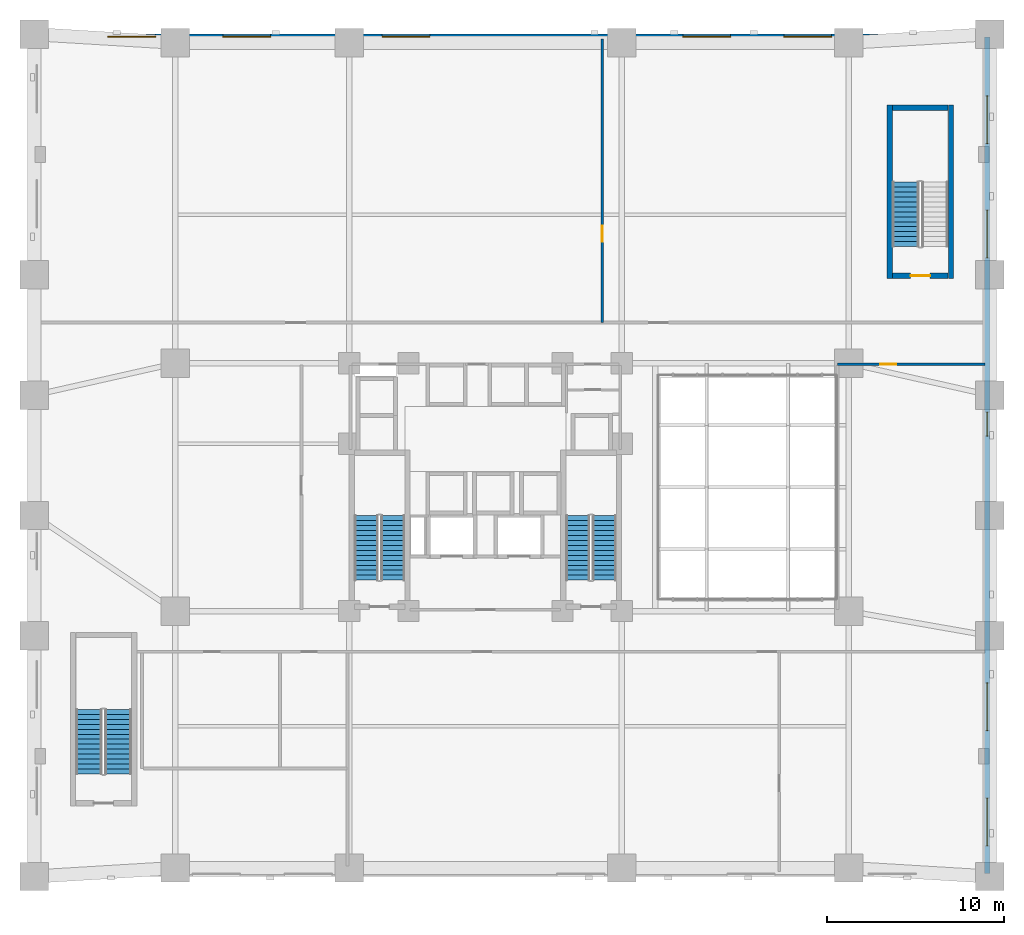
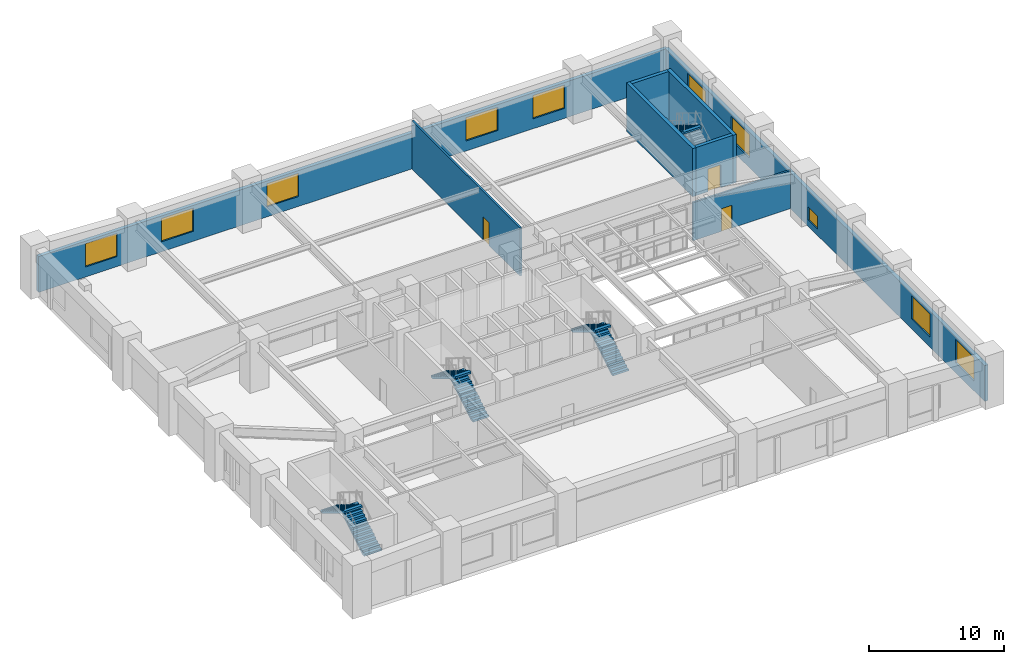
# One storey, part 6 of 11: 10 windows, 8 walls, 7 stair flights, 3 doors, 13 openings, 4 elements without a shape of their own.
"""IFC4 building model written with IfcOpenShell, lengths in metres."""

from ifc_helpers import new_model, si_unit, derived_unit, direction, frame, frame_2d, origin, place, context, subcontext, project, spatial, polyline, rectangle, outline, extrude, material, layer, layer_set, type_object, element, fill, aggregate, save


model = new_model("IFC4")

# Units and contexts
model_context = context("Model", 3, precision=1e-05, world=origin(), true_north=direction((0.0, 1.0)))
body_context = subcontext(model_context, "Body", "Model", "MODEL_VIEW")
ifc_project = project(units=[si_unit("LENGTHUNIT", "METRE"), si_unit("AREAUNIT", "SQUARE_METRE"), si_unit("VOLUMEUNIT", "CUBIC_METRE"), si_unit("PLANEANGLEUNIT", "RADIAN"), si_unit("MASSUNIT", "GRAM", prefix="KILO"), derived_unit("THERMALTRANSMITTANCEUNIT", [(si_unit("MASSUNIT", "GRAM", prefix="KILO"), 1), (si_unit("TIMEUNIT", "SECOND"), -3), (si_unit("THERMODYNAMICTEMPERATUREUNIT", "KELVIN"), -1)])], contexts=[model_context])

# Site, building, storey
site_placement = place(None, origin())
site = spatial("IfcSite", under=ifc_project, at=site_placement, CompositionType="ELEMENT")
building_placement = place(site_placement, origin())
building = spatial("IfcBuilding", under=site, at=building_placement, Name="Korrvale Station Residences", CompositionType="ELEMENT")
storey_placement = place(building_placement, frame((0.0, 0.0, 16.0)))
storey = spatial("IfcBuildingStorey", under=building, at=storey_placement, Name="L03", CompositionType="ELEMENT", Elevation=16.0)

# Walls
ifc_material_1 = material(Name="Concrete C70/85", Category="concrete")
ifc_layer_1 = layer(ifc_material_1, 0.300048828125, Name="Concrete C70/85")
ifc_layer_set_1 = layer_set([ifc_layer_1], Name="Concrete C70/85")
wall_type_1 = type_object("IfcWallType", Name="WAL-CORE-300-C70", PredefinedType="SHEAR", material=ifc_layer_set_1)
for number, where, z_axis, x_axis, name in (
    (1, (48.35009765625, 33.800048828125, 0.0), (0.0, 0.0, 1.0), (0.0, 1.0, 0.0), "L03 ST-4 Core Shear Wall West"),
    (2, (51.800048828125, 33.800048828125, 0.0), (0.0, 0.0, 1.0), (0.0, 1.0, 0.0), "L03 ST-4 Core Shear Wall East"),
):
    element("IfcWall", number, at=place(storey_placement, frame(where, z_axis=z_axis, x_axis=x_axis)), inside=storey, type_object=wall_type_1, Name=name, PredefinedType="SHEAR", context=body_context, shape_type="SweptSolid", body=[
        extrude(rectangle(XDim=9.800048828125, YDim=0.300048828125, at=frame_2d((4.89990234375, 0.0))), origin(), (0.0, 0.0, 1.0), 4.35009765625),
    ])
wall_1_placement = place(storey_placement, frame((48.5, 43.449951171875, 0.0), z_axis=(0.0, 0.0, 1.0), x_axis=(1.0, 0.0, 0.0)))
element("IfcWall", 3, at=wall_1_placement, inside=storey, type_object=wall_type_1, Name="L03 ST-4 Core Shear Wall North", PredefinedType="SHEAR", context=body_context, shape_type="SweptSolid", body=[
    extrude(rectangle(XDim=3.14990234375, YDim=0.300048828125, at=frame_2d((1.574951171875, 0.0))), origin(), (0.0, 0.0, 1.0), 4.35009765625),
])

# Wall, opening, door
wall_2_placement = place(storey_placement, frame((48.5, 33.949951171875, 0.0), z_axis=(0.0, 0.0, 1.0), x_axis=(1.0, 0.0, 0.0)))
wall_2 = element("IfcWall", 4, at=wall_2_placement, inside=storey, type_object=wall_type_1, Name="L03 ST-4 Core Shear Wall South", PredefinedType="SHEAR", context=body_context, shape_type="SweptSolid", body=[
    extrude(rectangle(XDim=3.14990234375, YDim=0.300048828125, at=frame_2d((1.574951171875, 0.0))), origin(), (0.0, 0.0, 1.0), 4.35009765625),
])
opening_1_placement = place(wall_2_placement, frame((1.02001953125, 0.0, 0.0)))
opening_1 = element("IfcOpeningElement", 5, at=opening_1_placement, cuts=wall_2, Name="Opening SD-1100", PredefinedType="OPENING", context=body_context, shape_type="SweptSolid", body=[
    extrude(rectangle(XDim=1.10009765625, YDim=2.050048828125, at=frame_2d((0.550048828125, 1.02490234375))), frame((0.0, 0.16015625, 0.0), z_axis=(0.0, -1.0, 0.0), x_axis=(1.0, 0.0, 0.0)), (0.0, 0.0, 1.0), 0.320068359375),
])
ifc_material_2 = material(Name="Hollow-metal fire-rated stair door with closer", Category="steel")
door_type_1 = type_object("IfcDoorType", Name="DR-STAIR-1100", OperationType="NOTDEFINED", PredefinedType="DOOR", material=ifc_material_2)
door_1_placement = place(opening_1_placement, origin())
door_1 = element("IfcDoor", 6, at=door_1_placement, inside=storey, type_object=door_type_1, Name="L03 ST-4 Exit Stair Door", OperationType="SINGLE_SWING_RIGHT", OverallHeight=2.050048828125, OverallWidth=1.10009765625, PredefinedType="DOOR", context=body_context, shape_type="SweptSolid", body=[
    extrude(rectangle(XDim=1.10009765625, YDim=2.050048828125, at=frame_2d((0.550048828125, 1.02490234375))), frame((0.0, 0.02490234375, 0.0), z_axis=(0.0, -1.0, 0.0), x_axis=(1.0, 0.0, 0.0)), (0.0, 0.0, 1.0), 0.050048828125),
])
fill(opening_1, door_1)

# Wall, openings, windows
ifc_material_3 = material(Name="Precast concrete C45/55", Category="concrete")
ifc_layer_2 = layer(ifc_material_3, 0.300048828125, Name="Precast concrete C45/55")
ifc_layer_set_2 = layer_set([ifc_layer_2], Name="Precast concrete C45/55")
wall_type_2 = type_object("IfcWallType", Name="WAL-EXT-PC300", PredefinedType="SOLIDWALL", material=ifc_layer_set_2)
wall_3_placement = place(storey_placement, frame((0.159912109375, 47.449951171875, 0.0), z_axis=(0.0, 0.0, 1.0), x_axis=(1.0, 0.0, 0.0)))
wall_3 = element("IfcWall", 7, at=wall_3_placement, inside=storey, type_object=wall_type_2, Name="L03 North Exterior Precast Wall 1", PredefinedType="SOLIDWALL", context=body_context, shape_type="SweptSolid", body=[
    extrude(rectangle(XDim=53.68017578125, YDim=0.300048828125, at=frame_2d((26.840087890625, 0.0))), origin(), (0.0, 0.0, 1.0), 3.235107421875),
])
opening_2_placement = place(wall_3_placement, frame((4.0, 0.0, 0.89990234375)))
opening_2 = element("IfcOpeningElement", 8, at=opening_2_placement, cuts=wall_3, Name="Opening W-07", PredefinedType="OPENING", context=body_context, shape_type="SweptSolid", body=[
    extrude(rectangle(XDim=2.699951171875, YDim=2.10009765625, at=frame_2d((1.35009765625, 1.050048828125))), frame((0.0, 0.16015625, 0.0), z_axis=(0.0, -1.0, 0.0), x_axis=(1.0, 0.0, 0.0)), (0.0, 0.0, 1.0), 0.320068359375),
])
opening_3_placement = place(wall_3_placement, frame((10.5, 0.0, 0.89990234375)))
opening_3 = element("IfcOpeningElement", 9, at=opening_3_placement, cuts=wall_3, Name="Opening W-07", PredefinedType="OPENING", context=body_context, shape_type="SweptSolid", body=[
    extrude(rectangle(XDim=2.699951171875, YDim=2.10009765625, at=frame_2d((1.35009765625, 1.050048828125))), frame((0.0, 0.16015625, 0.0), z_axis=(0.0, -1.0, 0.0), x_axis=(1.0, 0.0, 0.0)), (0.0, 0.0, 1.0), 0.320068359375),
])
opening_4_placement = place(wall_3_placement, frame((19.5, 0.0, 0.89990234375)))
opening_4 = element("IfcOpeningElement", 10, at=opening_4_placement, cuts=wall_3, Name="Opening W-07", PredefinedType="OPENING", context=body_context, shape_type="SweptSolid", body=[
    extrude(rectangle(XDim=2.699951171875, YDim=2.10009765625, at=frame_2d((1.35009765625, 1.050048828125))), frame((0.0, 0.16015625, 0.0), z_axis=(0.0, -1.0, 0.0), x_axis=(1.0, 0.0, 0.0)), (0.0, 0.0, 1.0), 0.320068359375),
])
opening_5_placement = place(wall_3_placement, frame((36.5, 0.0, 0.89990234375)))
opening_5 = element("IfcOpeningElement", 11, at=opening_5_placement, cuts=wall_3, Name="Opening W-07", PredefinedType="OPENING", context=body_context, shape_type="SweptSolid", body=[
    extrude(rectangle(XDim=2.699951171875, YDim=2.10009765625, at=frame_2d((1.35009765625, 1.050048828125))), frame((0.0, 0.16015625, 0.0), z_axis=(0.0, -1.0, 0.0), x_axis=(1.0, 0.0, 0.0)), (0.0, 0.0, 1.0), 0.320068359375),
])
opening_6_placement = place(wall_3_placement, frame((42.199951171875, 0.0, 0.89990234375)))
opening_6 = element("IfcOpeningElement", 12, at=opening_6_placement, cuts=wall_3, Name="Opening W-07", PredefinedType="OPENING", context=body_context, shape_type="SweptSolid", body=[
    extrude(rectangle(XDim=2.699951171875, YDim=2.10009765625, at=frame_2d((1.35009765625, 1.050048828125))), frame((0.0, 0.16015625, 0.0), z_axis=(0.0, -1.0, 0.0), x_axis=(1.0, 0.0, 0.0)), (0.0, 0.0, 1.0), 0.320068359375),
])
ifc_material_4 = material(Name="Thermally broken aluminium frame with triple low-e glazing", Category="aluminium")
window_type_1 = type_object("IfcWindowType", Name="WIN-W07", PartitioningType="TRIPLE_PANEL_VERTICAL", PredefinedType="WINDOW", material=ifc_material_4)
window_1_placement = place(opening_2_placement, origin())
window_1 = element("IfcWindow", 13, at=window_1_placement, inside=storey, type_object=window_type_1, Name="L03 Station Concourse Punched Window 01", OverallHeight=2.10009765625, OverallWidth=2.699951171875, PartitioningType="TRIPLE_PANEL_VERTICAL", PredefinedType="WINDOW", context=body_context, shape_type="SweptSolid", body=[
    extrude(rectangle(XDim=2.699951171875, YDim=2.10009765625, at=frame_2d((1.35009765625, 1.050048828125))), frame((0.0, 0.030029296875, 0.0), z_axis=(0.0, -1.0, 0.0), x_axis=(1.0, 0.0, 0.0)), (0.0, 0.0, 1.0), 0.06005859375),
])
fill(opening_2, window_1)
window_2_placement = place(opening_3_placement, origin())
window_2 = element("IfcWindow", 14, at=window_2_placement, inside=storey, type_object=window_type_1, Name="L03 Station Concourse Punched Window 02", OverallHeight=2.10009765625, OverallWidth=2.699951171875, PartitioningType="TRIPLE_PANEL_VERTICAL", PredefinedType="WINDOW", context=body_context, shape_type="SweptSolid", body=[
    extrude(rectangle(XDim=2.699951171875, YDim=2.10009765625, at=frame_2d((1.35009765625, 1.050048828125))), frame((0.0, 0.030029296875, 0.0), z_axis=(0.0, -1.0, 0.0), x_axis=(1.0, 0.0, 0.0)), (0.0, 0.0, 1.0), 0.06005859375),
])
fill(opening_3, window_2)
window_3_placement = place(opening_4_placement, origin())
window_3 = element("IfcWindow", 15, at=window_3_placement, inside=storey, type_object=window_type_1, Name="L03 Station Concourse Punched Window 03", OverallHeight=2.10009765625, OverallWidth=2.699951171875, PartitioningType="TRIPLE_PANEL_VERTICAL", PredefinedType="WINDOW", context=body_context, shape_type="SweptSolid", body=[
    extrude(rectangle(XDim=2.699951171875, YDim=2.10009765625, at=frame_2d((1.35009765625, 1.050048828125))), frame((0.0, 0.030029296875, 0.0), z_axis=(0.0, -1.0, 0.0), x_axis=(1.0, 0.0, 0.0)), (0.0, 0.0, 1.0), 0.06005859375),
])
fill(opening_4, window_3)
window_4_placement = place(opening_5_placement, origin())
window_4 = element("IfcWindow", 16, at=window_4_placement, inside=storey, type_object=window_type_1, Name="L03 Station Concourse Punched Window 04", OverallHeight=2.10009765625, OverallWidth=2.699951171875, PartitioningType="TRIPLE_PANEL_VERTICAL", PredefinedType="WINDOW", context=body_context, shape_type="SweptSolid", body=[
    extrude(rectangle(XDim=2.699951171875, YDim=2.10009765625, at=frame_2d((1.35009765625, 1.050048828125))), frame((0.0, 0.030029296875, 0.0), z_axis=(0.0, -1.0, 0.0), x_axis=(1.0, 0.0, 0.0)), (0.0, 0.0, 1.0), 0.06005859375),
])
fill(opening_5, window_4)
window_5_placement = place(opening_6_placement, origin())
window_5 = element("IfcWindow", 17, at=window_5_placement, inside=storey, type_object=window_type_1, Name="L03 Station Concourse Punched Window 05", OverallHeight=2.10009765625, OverallWidth=2.699951171875, PartitioningType="TRIPLE_PANEL_VERTICAL", PredefinedType="WINDOW", context=body_context, shape_type="SweptSolid", body=[
    extrude(rectangle(XDim=2.699951171875, YDim=2.10009765625, at=frame_2d((1.35009765625, 1.050048828125))), frame((0.0, 0.030029296875, 0.0), z_axis=(0.0, -1.0, 0.0), x_axis=(1.0, 0.0, 0.0)), (0.0, 0.0, 1.0), 0.06005859375),
])
fill(opening_6, window_5)

wall_4_placement = place(storey_placement, frame((53.85009765625, 47.43994140625, 0.0), z_axis=(0.0, 0.0, 1.0), x_axis=(0.0, -1.0, 0.0)))
wall_4 = element("IfcWall", 18, at=wall_4_placement, inside=storey, type_object=wall_type_2, Name="L03 East Exterior Precast Wall 1", PredefinedType="SOLIDWALL", context=body_context, shape_type="SweptSolid", body=[
    extrude(rectangle(XDim=47.280029296875, YDim=0.300048828125, at=frame_2d((23.64013671875, 0.0))), origin(), (0.0, 0.0, 1.0), 3.235107421875),
])
opening_7_placement = place(wall_4_placement, frame((3.330078125, 0.0, 0.89990234375)))
opening_7 = element("IfcOpeningElement", 19, at=opening_7_placement, cuts=wall_4, Name="Opening W-07", PredefinedType="OPENING", context=body_context, shape_type="SweptSolid", body=[
    extrude(rectangle(XDim=2.699951171875, YDim=2.10009765625, at=frame_2d((1.35009765625, 1.050048828125))), frame((0.0, 0.16015625, 0.0), z_axis=(0.0, -1.0, 0.0), x_axis=(1.0, 0.0, 0.0)), (0.0, 0.0, 1.0), 0.320068359375),
])
opening_8_placement = place(wall_4_placement, frame((9.780029296875, 0.0, 0.89990234375)))
opening_8 = element("IfcOpeningElement", 20, at=opening_8_placement, cuts=wall_4, Name="Opening W-07", PredefinedType="OPENING", context=body_context, shape_type="SweptSolid", body=[
    extrude(rectangle(XDim=2.699951171875, YDim=2.10009765625, at=frame_2d((1.35009765625, 1.050048828125))), frame((0.0, 0.16015625, 0.0), z_axis=(0.0, -1.0, 0.0), x_axis=(1.0, 0.0, 0.0)), (0.0, 0.0, 1.0), 0.320068359375),
])
opening_9_placement = place(wall_4_placement, frame((21.199951171875, 0.0, 0.550048828125)))
opening_9 = element("IfcOpeningElement", 21, at=opening_9_placement, cuts=wall_4, Name="Opening W-10", PredefinedType="OPENING", context=body_context, shape_type="SweptSolid", body=[
    extrude(rectangle(XDim=1.35009765625, YDim=1.199951171875, at=frame_2d((0.675048828125, 0.60009765625))), frame((0.0, 0.16015625, 0.0), z_axis=(0.0, -1.0, 0.0), x_axis=(1.0, 0.0, 0.0)), (0.0, 0.0, 1.0), 0.320068359375),
])
opening_10_placement = place(wall_4_placement, frame((36.5, 0.0, 0.89990234375)))
opening_10 = element("IfcOpeningElement", 22, at=opening_10_placement, cuts=wall_4, Name="Opening W-07", PredefinedType="OPENING", context=body_context, shape_type="SweptSolid", body=[
    extrude(rectangle(XDim=2.699951171875, YDim=2.10009765625, at=frame_2d((1.35009765625, 1.050048828125))), frame((0.0, 0.16015625, 0.0), z_axis=(0.0, -1.0, 0.0), x_axis=(1.0, 0.0, 0.0)), (0.0, 0.0, 1.0), 0.320068359375),
])
opening_11_placement = place(wall_4_placement, frame((43.0, 0.0, 0.89990234375)))
opening_11 = element("IfcOpeningElement", 23, at=opening_11_placement, cuts=wall_4, Name="Opening W-07", PredefinedType="OPENING", context=body_context, shape_type="SweptSolid", body=[
    extrude(rectangle(XDim=2.699951171875, YDim=2.10009765625, at=frame_2d((1.35009765625, 1.050048828125))), frame((0.0, 0.16015625, 0.0), z_axis=(0.0, -1.0, 0.0), x_axis=(1.0, 0.0, 0.0)), (0.0, 0.0, 1.0), 0.320068359375),
])
window_6_placement = place(opening_7_placement, origin())
window_6 = element("IfcWindow", 24, at=window_6_placement, inside=storey, type_object=window_type_1, Name="L03 Station Concourse Punched Window 06", OverallHeight=2.10009765625, OverallWidth=2.699951171875, PartitioningType="TRIPLE_PANEL_VERTICAL", PredefinedType="WINDOW", context=body_context, shape_type="SweptSolid", body=[
    extrude(rectangle(XDim=2.699951171875, YDim=2.10009765625, at=frame_2d((1.35009765625, 1.050048828125))), frame((0.0, 0.030029296875, 0.0), z_axis=(0.0, -1.0, 0.0), x_axis=(1.0, 0.0, 0.0)), (0.0, 0.0, 1.0), 0.06005859375),
])
fill(opening_7, window_6)
window_7_placement = place(opening_8_placement, origin())
window_7 = element("IfcWindow", 25, at=window_7_placement, inside=storey, type_object=window_type_1, Name="L03 Station Concourse Punched Window 07", OverallHeight=2.10009765625, OverallWidth=2.699951171875, PartitioningType="TRIPLE_PANEL_VERTICAL", PredefinedType="WINDOW", context=body_context, shape_type="SweptSolid", body=[
    extrude(rectangle(XDim=2.699951171875, YDim=2.10009765625, at=frame_2d((1.35009765625, 1.050048828125))), frame((0.0, 0.030029296875, 0.0), z_axis=(0.0, -1.0, 0.0), x_axis=(1.0, 0.0, 0.0)), (0.0, 0.0, 1.0), 0.06005859375),
])
fill(opening_8, window_7)
window_8_placement = place(opening_10_placement, origin())
window_8 = element("IfcWindow", 26, at=window_8_placement, inside=storey, type_object=window_type_1, Name="L03 Station Concourse Punched Window 09", OverallHeight=2.10009765625, OverallWidth=2.699951171875, PartitioningType="TRIPLE_PANEL_VERTICAL", PredefinedType="WINDOW", context=body_context, shape_type="SweptSolid", body=[
    extrude(rectangle(XDim=2.699951171875, YDim=2.10009765625, at=frame_2d((1.35009765625, 1.050048828125))), frame((0.0, 0.030029296875, 0.0), z_axis=(0.0, -1.0, 0.0), x_axis=(1.0, 0.0, 0.0)), (0.0, 0.0, 1.0), 0.06005859375),
])
fill(opening_10, window_8)
window_9_placement = place(opening_11_placement, origin())
window_9 = element("IfcWindow", 27, at=window_9_placement, inside=storey, type_object=window_type_1, Name="L03 Station Concourse Punched Window 10", OverallHeight=2.10009765625, OverallWidth=2.699951171875, PartitioningType="TRIPLE_PANEL_VERTICAL", PredefinedType="WINDOW", context=body_context, shape_type="SweptSolid", body=[
    extrude(rectangle(XDim=2.699951171875, YDim=2.10009765625, at=frame_2d((1.35009765625, 1.050048828125))), frame((0.0, 0.030029296875, 0.0), z_axis=(0.0, -1.0, 0.0), x_axis=(1.0, 0.0, 0.0)), (0.0, 0.0, 1.0), 0.06005859375),
])
fill(opening_11, window_9)
window_type_2 = type_object("IfcWindowType", Name="WIN-W10", PartitioningType="SINGLE_PANEL", PredefinedType="WINDOW", material=ifc_material_4)
window_10_placement = place(opening_9_placement, origin())
window_10 = element("IfcWindow", 28, at=window_10_placement, inside=storey, type_object=window_type_2, Name="L03 Station Concourse Punched Window 08", OverallHeight=1.199951171875, OverallWidth=1.35009765625, PartitioningType="SINGLE_PANEL", PredefinedType="WINDOW", context=body_context, shape_type="SweptSolid", body=[
    extrude(rectangle(XDim=1.35009765625, YDim=1.199951171875, at=frame_2d((0.675048828125, 0.60009765625))), frame((0.0, 0.030029296875, 0.0), z_axis=(0.0, -1.0, 0.0), x_axis=(1.0, 0.0, 0.0)), (0.0, 0.0, 1.0), 0.06005859375),
])
fill(opening_9, window_10)

# Wall, opening, door
ifc_material_5 = material(Name="Fire-rated twin-stud gypsum and mineral wool shaftwall assembly", Category="gypsum")
ifc_layer_3 = layer(ifc_material_5, 0.159912109375, Name="Fire-rated twin-stud gypsum and mineral wool shaftwall assembly")
ifc_layer_set_3 = layer_set([ifc_layer_3], Name="Fire-rated twin-stud gypsum and mineral wool shaftwall assembly")
wall_type_3 = type_object("IfcWallType", Name="WAL-PART-200", PredefinedType="PARTITIONING", material=ifc_layer_set_3)
wall_5_placement = place(storey_placement, frame((45.39990234375, 28.949951171875, 0.0), z_axis=(0.0, 0.0, 1.0), x_axis=(1.0, 0.0, 0.0)))
wall_5 = element("IfcWall", 29, at=wall_5_placement, inside=storey, type_object=wall_type_3, Name="L03 Interior Partition W-PE-N", PredefinedType="PARTITIONING", context=body_context, shape_type="SweptSolid", body=[
    extrude(rectangle(XDim=8.320068359375, YDim=0.159912109375, at=frame_2d((4.16015625, 0.0))), origin(), (0.0, 0.0, 1.0), 3.43505859375),
])
opening_12_placement = place(wall_5_placement, frame((2.39990234375, 0.0, 0.0)))
opening_12 = element("IfcOpeningElement", 30, at=opening_12_placement, cuts=wall_5, Name="Opening DI-900", PredefinedType="OPENING", context=body_context, shape_type="SweptSolid", body=[
    extrude(rectangle(XDim=0.89990234375, YDim=2.050048828125, at=frame_2d((0.449951171875, 1.02490234375))), frame((0.0, 0.08984375, 0.0), z_axis=(0.0, -1.0, 0.0), x_axis=(1.0, 0.0, 0.0)), (0.0, 0.0, 1.0), 0.179931640625),
])
ifc_material_6 = material(Name="Painted solid-core timber interior room door", Category="wood")
door_type_2 = type_object("IfcDoorType", Name="DR-INT-900", OperationType="NOTDEFINED", PredefinedType="DOOR", material=ifc_material_6)
door_2_placement = place(opening_12_placement, origin())
door_2 = element("IfcDoor", 31, at=door_2_placement, inside=storey, type_object=door_type_2, Name="L03 East Atrium Lounge North Door", OperationType="SINGLE_SWING_LEFT", OverallHeight=2.050048828125, OverallWidth=0.89990234375, PredefinedType="DOOR", context=body_context, shape_type="SweptSolid", body=[
    extrude(rectangle(XDim=0.89990234375, YDim=2.050048828125, at=frame_2d((0.449951171875, 1.02490234375))), frame((0.0, 0.02490234375, 0.0), z_axis=(0.0, -1.0, 0.0), x_axis=(1.0, 0.0, 0.0)), (0.0, 0.0, 1.0), 0.050048828125),
])
fill(opening_12, door_2)

wall_6_placement = place(storey_placement, frame((32.10009765625, 31.320068359375, 0.0), z_axis=(0.0, 0.0, 1.0), x_axis=(0.0, 1.0, 0.0)))
wall_6 = element("IfcWall", 32, at=wall_6_placement, inside=storey, type_object=wall_type_3, Name="L03 Interior Partition W-D1", PredefinedType="PARTITIONING", context=body_context, shape_type="SweptSolid", body=[
    extrude(rectangle(XDim=16.0, YDim=0.159912109375, at=frame_2d((8.0, 0.0))), origin(), (0.0, 0.0, 1.0), 4.35009765625),
])
opening_13_placement = place(wall_6_placement, frame((4.550048828125, 0.0, 0.0)))
opening_13 = element("IfcOpeningElement", 33, at=opening_13_placement, cuts=wall_6, Name="Opening DI-900", PredefinedType="OPENING", context=body_context, shape_type="SweptSolid", body=[
    extrude(rectangle(XDim=0.89990234375, YDim=2.050048828125, at=frame_2d((0.449951171875, 1.02490234375))), frame((0.0, 0.08984375, 0.0), z_axis=(0.0, -1.0, 0.0), x_axis=(1.0, 0.0, 0.0)), (0.0, 0.0, 1.0), 0.179931640625),
])
door_3_placement = place(opening_13_placement, origin())
door_3 = element("IfcDoor", 34, at=door_3_placement, inside=storey, type_object=door_type_2, Name="L03 Spa Suite Door", OperationType="SINGLE_SWING_RIGHT", OverallHeight=2.050048828125, OverallWidth=0.89990234375, PredefinedType="DOOR", context=body_context, shape_type="SweptSolid", body=[
    extrude(rectangle(XDim=0.89990234375, YDim=2.050048828125, at=frame_2d((0.449951171875, 1.02490234375))), frame((0.0, 0.02490234375, 0.0), z_axis=(0.0, -1.0, 0.0), x_axis=(1.0, 0.0, 0.0)), (0.0, 0.0, 1.0), 0.050048828125),
])
fill(opening_13, door_3)

# Stair, stair flights
ifc_material_7 = material(Name="Concrete C50/60", Category="concrete")
stair_type_1 = type_object("IfcStairType", Name="STR-DL-1350-28R-1714", PredefinedType="HALF_TURN_STAIR", material=ifc_material_7)
stair_1_placement = place(storey_placement, origin())
stair_1 = element("IfcStair", 35, at=stair_1_placement, inside=storey, type_object=stair_type_1, Name="L03 Exit Stair 1", PredefinedType="HALF_TURN_STAIR")
stair_flight_type_1 = type_object("IfcStairFlightType", Name="FLT-DL-1350-28R-1714", PredefinedType="STRAIGHT", material=ifc_material_7)
stair_flight_1_placement = place(storey_placement, frame((20.27490234375, 16.75, 0.0), z_axis=(0.0, 0.0, 1.0), x_axis=(0.0, 1.0, 0.0)))
stair_flight_1 = element("IfcStairFlight", 36, at=stair_flight_1_placement, type_object=stair_flight_type_1, Name="ST-1 flight 1", NumberOfRisers=14, NumberOfTreads=13, PredefinedType="STRAIGHT", RiserHeight=0.171428571, TreadLength=0.28, context=body_context, shape_type="SweptSolid", body=[
    extrude(outline(polyline([(0.0, 0.0), (0.0, 0.17138671875), (0.280029296875, 0.17138671875), (0.280029296875, 0.3427734375), (0.56005859375, 0.3427734375), (0.56005859375, 0.514404296875), (0.840087890625, 0.514404296875), (0.840087890625, 0.685791015625), (1.1201171875, 0.685791015625), (1.1201171875, 0.857177734375), (1.39990234375, 0.857177734375), (1.39990234375, 1.028564453125), (1.679931640625, 1.028564453125), (1.679931640625, 1.199951171875), (1.9599609375, 1.199951171875), (1.9599609375, 1.371337890625), (2.239990234375, 1.371337890625), (2.239990234375, 1.54296875), (2.52001953125, 1.54296875), (2.52001953125, 1.71435546875), (2.800048828125, 1.71435546875), (2.800048828125, 1.8857421875), (3.080078125, 1.8857421875), (3.080078125, 2.05712890625), (3.360107421875, 2.05712890625), (3.360107421875, 2.228515625), (3.639892578125, 2.228515625), (3.639892578125, 2.39990234375), (3.639892578125, 2.052734375), (0.287109375, 0.0), (0.0, 0.0)])), frame((0.0, 0.675048828125, 0.0), z_axis=(0.0, -1.0, 0.0), x_axis=(1.0, 0.0, 0.0)), (0.0, 0.0, 1.0), 1.35009765625),
])
stair_flight_2_placement = place(storey_placement, frame((18.77490234375, 20.389892578125, 2.39990234375), z_axis=(0.0, 0.0, 1.0), x_axis=(0.0, -1.0, 0.0)))
stair_flight_2 = element("IfcStairFlight", 37, at=stair_flight_2_placement, type_object=stair_flight_type_1, Name="ST-1 flight 2", NumberOfRisers=14, NumberOfTreads=13, PredefinedType="STRAIGHT", RiserHeight=0.171428571, TreadLength=0.28, context=body_context, shape_type="SweptSolid", body=[
    extrude(outline(polyline([(0.0, 0.0), (0.0, 0.17138671875), (0.280029296875, 0.17138671875), (0.280029296875, 0.3427734375), (0.56005859375, 0.3427734375), (0.56005859375, 0.514404296875), (0.840087890625, 0.514404296875), (0.840087890625, 0.685791015625), (1.1201171875, 0.685791015625), (1.1201171875, 0.857177734375), (1.39990234375, 0.857177734375), (1.39990234375, 1.028564453125), (1.679931640625, 1.028564453125), (1.679931640625, 1.199951171875), (1.9599609375, 1.199951171875), (1.9599609375, 1.371337890625), (2.239990234375, 1.371337890625), (2.239990234375, 1.54296875), (2.52001953125, 1.54296875), (2.52001953125, 1.71435546875), (2.800048828125, 1.71435546875), (2.800048828125, 1.8857421875), (3.080078125, 1.8857421875), (3.080078125, 2.05712890625), (3.360107421875, 2.05712890625), (3.360107421875, 2.228515625), (3.639892578125, 2.228515625), (3.639892578125, 2.39990234375), (3.639892578125, 2.052734375), (0.287109375, 0.0), (0.0, 0.0)])), frame((0.0, 0.675048828125, 0.0), z_axis=(0.0, -1.0, 0.0), x_axis=(1.0, 0.0, 0.0)), (0.0, 0.0, 1.0), 1.35009765625),
])
aggregate(stair_1, [stair_flight_1, stair_flight_2])

stair_2_placement = place(storey_placement, origin())
stair_2 = element("IfcStair", 38, at=stair_2_placement, inside=storey, type_object=stair_type_1, Name="L03 Exit Stair 2", PredefinedType="HALF_TURN_STAIR")
stair_flight_3_placement = place(storey_placement, frame((32.22509765625, 16.75, 0.0), z_axis=(0.0, 0.0, 1.0), x_axis=(0.0, 1.0, 0.0)))
stair_flight_3 = element("IfcStairFlight", 39, at=stair_flight_3_placement, type_object=stair_flight_type_1, Name="ST-2 flight 1", NumberOfRisers=14, NumberOfTreads=13, PredefinedType="STRAIGHT", RiserHeight=0.171428571, TreadLength=0.28, context=body_context, shape_type="SweptSolid", body=[
    extrude(outline(polyline([(0.0, 0.0), (0.0, 0.17138671875), (0.280029296875, 0.17138671875), (0.280029296875, 0.3427734375), (0.56005859375, 0.3427734375), (0.56005859375, 0.514404296875), (0.840087890625, 0.514404296875), (0.840087890625, 0.685791015625), (1.1201171875, 0.685791015625), (1.1201171875, 0.857177734375), (1.39990234375, 0.857177734375), (1.39990234375, 1.028564453125), (1.679931640625, 1.028564453125), (1.679931640625, 1.199951171875), (1.9599609375, 1.199951171875), (1.9599609375, 1.371337890625), (2.239990234375, 1.371337890625), (2.239990234375, 1.54296875), (2.52001953125, 1.54296875), (2.52001953125, 1.71435546875), (2.800048828125, 1.71435546875), (2.800048828125, 1.8857421875), (3.080078125, 1.8857421875), (3.080078125, 2.05712890625), (3.360107421875, 2.05712890625), (3.360107421875, 2.228515625), (3.639892578125, 2.228515625), (3.639892578125, 2.39990234375), (3.639892578125, 2.052734375), (0.287109375, 0.0), (0.0, 0.0)])), frame((0.0, 0.675048828125, 0.0), z_axis=(0.0, -1.0, 0.0), x_axis=(1.0, 0.0, 0.0)), (0.0, 0.0, 1.0), 1.35009765625),
])
stair_flight_4_placement = place(storey_placement, frame((30.72509765625, 20.389892578125, 2.39990234375), z_axis=(0.0, 0.0, 1.0), x_axis=(0.0, -1.0, 0.0)))
stair_flight_4 = element("IfcStairFlight", 40, at=stair_flight_4_placement, type_object=stair_flight_type_1, Name="ST-2 flight 2", NumberOfRisers=14, NumberOfTreads=13, PredefinedType="STRAIGHT", RiserHeight=0.171428571, TreadLength=0.28, context=body_context, shape_type="SweptSolid", body=[
    extrude(outline(polyline([(0.0, 0.0), (0.0, 0.17138671875), (0.280029296875, 0.17138671875), (0.280029296875, 0.3427734375), (0.56005859375, 0.3427734375), (0.56005859375, 0.514404296875), (0.840087890625, 0.514404296875), (0.840087890625, 0.685791015625), (1.1201171875, 0.685791015625), (1.1201171875, 0.857177734375), (1.39990234375, 0.857177734375), (1.39990234375, 1.028564453125), (1.679931640625, 1.028564453125), (1.679931640625, 1.199951171875), (1.9599609375, 1.199951171875), (1.9599609375, 1.371337890625), (2.239990234375, 1.371337890625), (2.239990234375, 1.54296875), (2.52001953125, 1.54296875), (2.52001953125, 1.71435546875), (2.800048828125, 1.71435546875), (2.800048828125, 1.8857421875), (3.080078125, 1.8857421875), (3.080078125, 2.05712890625), (3.360107421875, 2.05712890625), (3.360107421875, 2.228515625), (3.639892578125, 2.228515625), (3.639892578125, 2.39990234375), (3.639892578125, 2.052734375), (0.287109375, 0.0), (0.0, 0.0)])), frame((0.0, 0.675048828125, 0.0), z_axis=(0.0, -1.0, 0.0), x_axis=(1.0, 0.0, 0.0)), (0.0, 0.0, 1.0), 1.35009765625),
])
aggregate(stair_2, [stair_flight_3, stair_flight_4])

stair_type_2 = type_object("IfcStairType", Name="STR-DL-1500-28R-1714", PredefinedType="HALF_TURN_STAIR", material=ifc_material_7)
stair_3_placement = place(storey_placement, origin())
stair_3 = element("IfcStair", 41, at=stair_3_placement, inside=storey, type_object=stair_type_2, Name="L03 Station Exit Stair 3", PredefinedType="HALF_TURN_STAIR")
stair_flight_type_2 = type_object("IfcStairFlightType", Name="FLT-DL-1500-28R-1714", PredefinedType="STRAIGHT", material=ifc_material_7)
stair_flight_5_placement = place(storey_placement, frame((4.75, 5.800048828125, 0.0), z_axis=(0.0, 0.0, 1.0), x_axis=(0.0, 1.0, 0.0)))
stair_flight_5 = element("IfcStairFlight", 42, at=stair_flight_5_placement, type_object=stair_flight_type_2, Name="ST-3 flight 1", NumberOfRisers=14, NumberOfTreads=13, PredefinedType="STRAIGHT", RiserHeight=0.171428571, TreadLength=0.28, context=body_context, shape_type="SweptSolid", body=[
    extrude(outline(polyline([(0.0, 0.0), (0.0, 0.17138671875), (0.280029296875, 0.17138671875), (0.280029296875, 0.3427734375), (0.56005859375, 0.3427734375), (0.56005859375, 0.514404296875), (0.840087890625, 0.514404296875), (0.840087890625, 0.685791015625), (1.1201171875, 0.685791015625), (1.1201171875, 0.857177734375), (1.39990234375, 0.857177734375), (1.39990234375, 1.028564453125), (1.679931640625, 1.028564453125), (1.679931640625, 1.199951171875), (1.9599609375, 1.199951171875), (1.9599609375, 1.371337890625), (2.239990234375, 1.371337890625), (2.239990234375, 1.54296875), (2.52001953125, 1.54296875), (2.52001953125, 1.71435546875), (2.800048828125, 1.71435546875), (2.800048828125, 1.8857421875), (3.080078125, 1.8857421875), (3.080078125, 2.05712890625), (3.360107421875, 2.05712890625), (3.360107421875, 2.228515625), (3.639892578125, 2.228515625), (3.639892578125, 2.39990234375), (3.639892578125, 2.052734375), (0.287109375, 0.0), (0.0, 0.0)])), frame((0.0, 0.75, 0.0), z_axis=(0.0, -1.0, 0.0), x_axis=(1.0, 0.0, 0.0)), (0.0, 0.0, 1.0), 1.5),
])
stair_flight_6_placement = place(storey_placement, frame((3.10009765625, 9.43994140625, 2.39990234375), z_axis=(0.0, 0.0, 1.0), x_axis=(0.0, -1.0, 0.0)))
stair_flight_6 = element("IfcStairFlight", 43, at=stair_flight_6_placement, type_object=stair_flight_type_2, Name="ST-3 flight 2", NumberOfRisers=14, NumberOfTreads=13, PredefinedType="STRAIGHT", RiserHeight=0.171428571, TreadLength=0.28, context=body_context, shape_type="SweptSolid", body=[
    extrude(outline(polyline([(0.0, 0.0), (0.0, 0.17138671875), (0.280029296875, 0.17138671875), (0.280029296875, 0.3427734375), (0.56005859375, 0.3427734375), (0.56005859375, 0.514404296875), (0.840087890625, 0.514404296875), (0.840087890625, 0.685791015625), (1.1201171875, 0.685791015625), (1.1201171875, 0.857177734375), (1.39990234375, 0.857177734375), (1.39990234375, 1.028564453125), (1.679931640625, 1.028564453125), (1.679931640625, 1.199951171875), (1.9599609375, 1.199951171875), (1.9599609375, 1.371337890625), (2.239990234375, 1.371337890625), (2.239990234375, 1.54296875), (2.52001953125, 1.54296875), (2.52001953125, 1.71435546875), (2.800048828125, 1.71435546875), (2.800048828125, 1.8857421875), (3.080078125, 1.8857421875), (3.080078125, 2.05712890625), (3.360107421875, 2.05712890625), (3.360107421875, 2.228515625), (3.639892578125, 2.228515625), (3.639892578125, 2.39990234375), (3.639892578125, 2.052734375), (0.287109375, 0.0), (0.0, 0.0)])), frame((0.0, 0.75, 0.0), z_axis=(0.0, -1.0, 0.0), x_axis=(1.0, 0.0, 0.0)), (0.0, 0.0, 1.0), 1.5),
])
aggregate(stair_3, [stair_flight_5, stair_flight_6])

# Stair, stair flight
stair_4_placement = place(storey_placement, origin())
stair_4 = element("IfcStair", 44, at=stair_4_placement, inside=storey, type_object=stair_type_2, Name="L03 Station Exit Stair 4", PredefinedType="HALF_TURN_STAIR")
stair_flight_7_placement = place(storey_placement, frame((49.25, 39.239990234375, 2.39990234375), z_axis=(0.0, 0.0, 1.0), x_axis=(0.0, -1.0, 0.0)))
stair_flight_7 = element("IfcStairFlight", 45, at=stair_flight_7_placement, type_object=stair_flight_type_2, Name="ST-4 flight 2", NumberOfRisers=14, NumberOfTreads=13, PredefinedType="STRAIGHT", RiserHeight=0.171428571, TreadLength=0.28, context=body_context, shape_type="SweptSolid", body=[
    extrude(outline(polyline([(0.0, 0.0), (0.0, 0.17138671875), (0.280029296875, 0.17138671875), (0.280029296875, 0.3427734375), (0.56005859375, 0.3427734375), (0.56005859375, 0.514404296875), (0.840087890625, 0.514404296875), (0.840087890625, 0.685791015625), (1.1201171875, 0.685791015625), (1.1201171875, 0.857177734375), (1.39990234375, 0.857177734375), (1.39990234375, 1.028564453125), (1.679931640625, 1.028564453125), (1.679931640625, 1.199951171875), (1.9599609375, 1.199951171875), (1.9599609375, 1.371337890625), (2.239990234375, 1.371337890625), (2.239990234375, 1.54296875), (2.52001953125, 1.54296875), (2.52001953125, 1.71435546875), (2.800048828125, 1.71435546875), (2.800048828125, 1.8857421875), (3.080078125, 1.8857421875), (3.080078125, 2.05712890625), (3.360107421875, 2.05712890625), (3.360107421875, 2.228515625), (3.639892578125, 2.228515625), (3.639892578125, 2.39990234375), (3.639892578125, 2.052734375), (0.287109375, 0.0), (0.0, 0.0)])), frame((0.0, 0.75, 0.0), z_axis=(0.0, -1.0, 0.0), x_axis=(1.0, 0.0, 0.0)), (0.0, 0.0, 1.0), 1.5),
])
aggregate(stair_4, [stair_flight_7])

save(model, "model.ifc")
